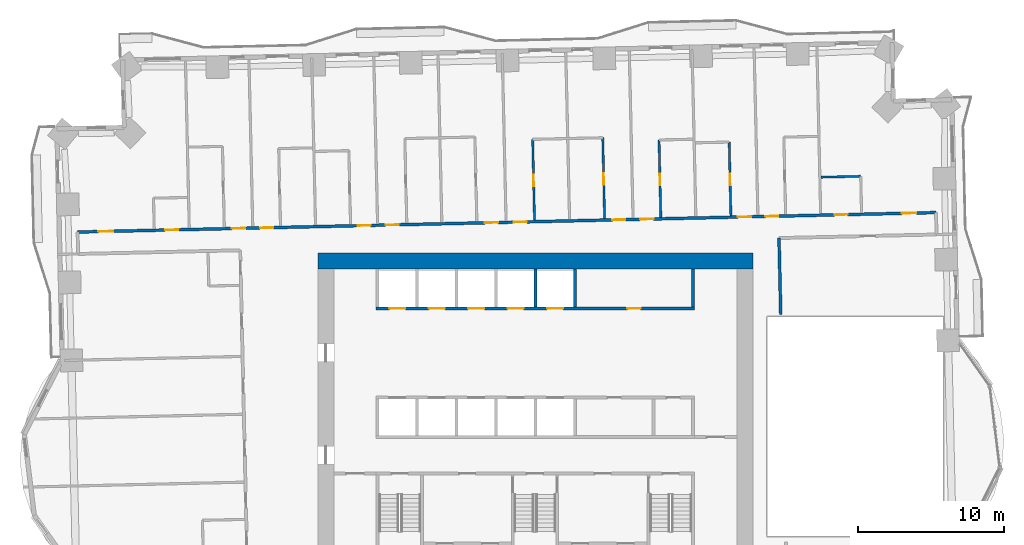
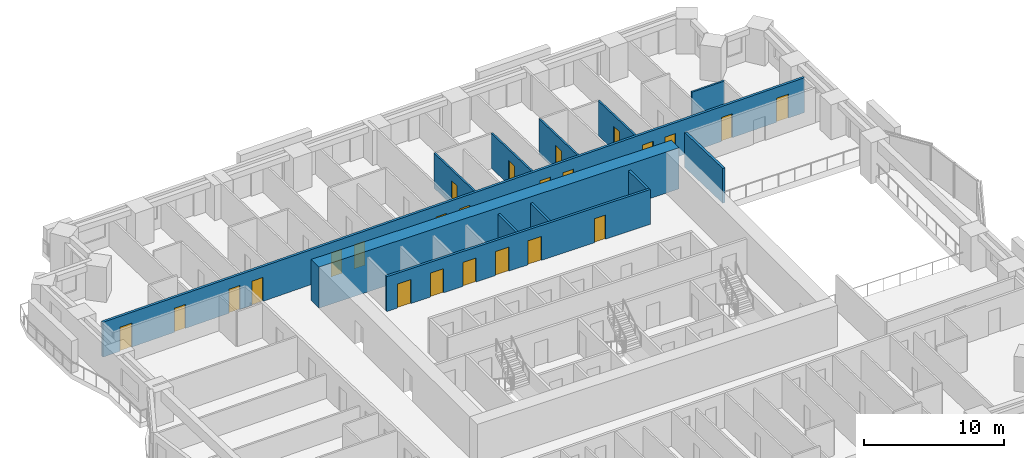
# One storey, part 10 of 16: 24 doors, 12 walls, 24 openings.
"""IFC4 building model written with IfcOpenShell, lengths in metres."""

import ifcopenshell
import ifcopenshell.guid

model = None  # the IFC model being written
_history = None  # IfcOwnerHistory: only IFC2X3 demands one
_inside = {}  # id of a spatial element -> (the spatial element, [elements in it])
_under = {}  # id of a project, library or spatial element -> (it, [spatial elements below it])
_declared = {}  # id of a project -> (the project, [libraries it declares])
_typed = {}  # id of a type object -> (the type object, [elements of that type])
_made_of = {}  # id of a material, layer set ... -> (it, [elements and type objects made of it])


def new_model(schema):
    """Start an empty IFC model of exactly this schema.

    Asked for "IFC4X3", IfcOpenShell would pick the latest addendum, in which some entities
    have other attributes; the version numbers below select the first issue.
    IFC2X3 requires an IfcOwnerHistory on every rooted entity: one is made here for all.
    """
    global model, _history
    if schema == "IFC4X3":
        model = ifcopenshell.file(schema_version=(4, 3, 0, 0))
    else:
        model = ifcopenshell.file(schema=schema)
    _inside.clear()
    _under.clear()
    _declared.clear()
    _typed.clear()
    _made_of.clear()
    _history = None
    if model.schema == "IFC2X3":
        org = make("IfcOrganization", Name="unknown")
        user = make(
            "IfcPersonAndOrganization",
            ThePerson=make("IfcPerson", FamilyName="unknown"),
            TheOrganization=org,
        )
        app = make(
            "IfcApplication",
            ApplicationDeveloper=org,
            Version="unknown",
            ApplicationFullName="unknown",
            ApplicationIdentifier="unknown",
        )
        _history = make(
            "IfcOwnerHistory",
            OwningUser=user,
            OwningApplication=app,
            ChangeAction="ADDED",
            CreationDate=0,
        )
    return model


def make(cls, **values):
    """One entity of the class cls with the attributes given. An attribute that is None is left unset."""
    return model.create_entity(
        cls, **{name: value for name, value in values.items() if value is not None}
    )


def rooted(cls, **values):
    """An entity with a GlobalId (a new one), such as an element, a storey or a relation."""
    return make(cls, GlobalId=ifcopenshell.guid.new(), OwnerHistory=_history, **values)


def si_unit(unit_type, name, prefix=None):
    """IfcSIUnit, for example si_unit("LENGTHUNIT", "METRE", prefix="MILLI")."""
    return make("IfcSIUnit", UnitType=unit_type, Prefix=prefix, Name=name)


def assignment(units):
    """IfcUnitAssignment: the units of a project."""
    return None if units is None else make("IfcUnitAssignment", Units=units)


def point(xyz):
    """IfcCartesianPoint."""
    return None if xyz is None else make("IfcCartesianPoint", Coordinates=xyz)


def direction(xyz):
    """IfcDirection."""
    return None if xyz is None else make("IfcDirection", DirectionRatios=xyz)


def frame(location, z_axis=None, x_axis=None):
    """IfcAxis2Placement3D, a coordinate frame: its origin and axes. An axis left out is left unset."""
    return make(
        "IfcAxis2Placement3D",
        Location=point(location),
        Axis=direction(z_axis),
        RefDirection=direction(x_axis),
    )


def frame_2d(location, x_axis=None):
    """IfcAxis2Placement2D, a coordinate frame in the plane: its origin and x axis."""
    return make(
        "IfcAxis2Placement2D", Location=point(location), RefDirection=direction(x_axis)
    )


def origin():
    """The frame at (0, 0, 0) with its axes left unset."""
    return frame((0.0, 0.0, 0.0))


def place(relative_to, where):
    """IfcLocalPlacement: puts the frame where relative to a parent placement (None: the world)."""
    return make(
        "IfcLocalPlacement", PlacementRelTo=relative_to, RelativePlacement=where
    )


def context(
    kind, dimensions, precision=None, world=None, true_north=None, identifier=None
):
    """IfcGeometricRepresentationContext, for example the 3D "Model" context."""
    return make(
        "IfcGeometricRepresentationContext",
        ContextIdentifier=identifier,
        ContextType=kind,
        CoordinateSpaceDimension=dimensions,
        Precision=precision,
        WorldCoordinateSystem=world,
        TrueNorth=true_north,
    )


def subcontext(parent, identifier, kind, view, scale=None):
    """IfcGeometricRepresentationSubContext, for example "Body" below "Model"."""
    return make(
        "IfcGeometricRepresentationSubContext",
        ContextIdentifier=identifier,
        ContextType=kind,
        ParentContext=parent,
        TargetScale=scale,
        TargetView=view,
    )


def project(units=None, contexts=None):
    """IfcProject with its units and contexts."""
    return rooted(
        "IfcProject",
        Name="project",
        RepresentationContexts=contexts,
        UnitsInContext=assignment(units),
    )


def spatial(cls, under=None, at=None, **own):
    """A site, building, storey or space (cls), placed at a placement, below another one or the project."""
    s = rooted(cls, ObjectPlacement=at, **own)
    if under is not None:
        _under.setdefault(under.id(), (under, []))[1].append(s)
    return s


def profile(cls, at=None, kind="AREA", **sizes):
    """A parametric profile (cls). Its sizes go by their IFC names, for example OverallWidth=200.0."""
    return make(cls, ProfileType=kind, Position=at, **sizes)


def rectangle(**sizes):
    """IfcRectangleProfileDef."""
    return profile("IfcRectangleProfileDef", **sizes)


def extrude(swept, where, along, depth):
    """IfcExtrudedAreaSolid: the profile swept, set in the frame where, extruded along a direction by depth."""
    return make(
        "IfcExtrudedAreaSolid",
        SweptArea=swept,
        Position=where,
        ExtrudedDirection=direction(along),
        Depth=depth,
    )


def shape(context_of_items, identifier, shape_type, items):
    """IfcShapeRepresentation: the items that make up one representation, for example the "Body"."""
    return make(
        "IfcShapeRepresentation",
        ContextOfItems=context_of_items,
        RepresentationIdentifier=identifier,
        RepresentationType=shape_type,
        Items=items,
    )


def material(Name=None, Category=None):
    """IfcMaterial."""
    return make("IfcMaterial", Name=Name, Category=Category)


def layer(
    of_material, thickness, ventilated=None, Name=None, Category=None, Priority=None
):
    """IfcMaterialLayer: one layer of a wall or slab, of a material (None: an air gap)."""
    return make(
        "IfcMaterialLayer",
        Material=of_material,
        LayerThickness=thickness,
        IsVentilated=ventilated,
        Name=Name,
        Category=Category,
        Priority=Priority,
    )


def layer_set(layers, Name=None):
    """IfcMaterialLayerSet."""
    return make("IfcMaterialLayerSet", MaterialLayers=layers, LayerSetName=Name)


def made_of(thing, what):
    """Note that an element or type object is made of a material, layer set ...; save() writes the relation."""
    if what is not None:
        _made_of.setdefault(what.id(), (what, []))[1].append(thing)
    return thing


def type_object(cls, material=None, **own):
    """A type object (cls), such as IfcWallType, which elements share."""
    return made_of(rooted(cls, **own), material)


def element(
    cls,
    number,
    at=None,
    inside=None,
    cuts=None,
    type_object=None,
    material=None,
    context=None,
    identifier="Body",
    shape_type=None,
    held_by="IfcProductDefinitionShape",
    body=None,
    shapes=None,
    **own,
):
    """One element of the class cls, such as IfcWall. Its Tag is "e" and its number.

    at: its placement. inside: the storey or other place that contains it. cuts: it is an
    opening in that element (IfcRelVoidsElement). A single representation is given by context,
    identifier, shape_type and body (its items); several are given by shapes. held_by: the class
    of the entity that holds the representations. save() writes the other relations.
    """
    e = rooted(cls, Tag="e%d" % number, ObjectPlacement=at, **own)
    if body is not None:
        shapes = [shape(context, identifier, shape_type, body)]
    if shapes is not None:
        e.Representation = make(held_by, Representations=shapes)
    if inside is not None:
        _inside.setdefault(inside.id(), (inside, []))[1].append(e)
    if cuts is not None:
        rooted(
            "IfcRelVoidsElement", RelatingBuildingElement=cuts, RelatedOpeningElement=e
        )
    if type_object is not None:
        _typed.setdefault(type_object.id(), (type_object, []))[1].append(e)
    return made_of(e, material)


def fill(opening, filler):
    """IfcRelFillsElement: the door or window that sits in an opening."""
    return rooted(
        "IfcRelFillsElement",
        RelatingOpeningElement=opening,
        RelatedBuildingElement=filler,
    )


def aggregate(whole, parts):
    """IfcRelAggregates: a whole, such as a stair, and the parts it consists of."""
    return rooted("IfcRelAggregates", RelatingObject=whole, RelatedObjects=parts)


def save(model, path):
    """Write the relations noted so far, then the file.

    IfcRelAggregates (storeys below a building ...), IfcRelContainedInSpatialStructure (elements
    in a storey), IfcRelDefinesByType, IfcRelAssociatesMaterial and IfcRelDeclares: one each for
    every whole, place, type object, material and project.
    """
    for whole, parts in _under.values():
        aggregate(whole, parts)
    for where, things in _inside.values():
        rooted(
            "IfcRelContainedInSpatialStructure",
            RelatedElements=things,
            RelatingStructure=where,
        )
    for kind, things in _typed.values():
        rooted("IfcRelDefinesByType", RelatedObjects=things, RelatingType=kind)
    for what, things in _made_of.values():
        rooted("IfcRelAssociatesMaterial", RelatedObjects=things, RelatingMaterial=what)
    for by, libraries in _declared.values():
        rooted("IfcRelDeclares", RelatingContext=by, RelatedDefinitions=libraries)
    model.write(path)


model = new_model("IFC4")

# Units and contexts
model_context = context("Model", 3, precision=1e-05, world=origin(), true_north=direction((0.0, 1.0)))
body_context = subcontext(model_context, "Body", "Model", "MODEL_VIEW")
ifc_project = project(units=[si_unit("LENGTHUNIT", "METRE"), si_unit("AREAUNIT", "SQUARE_METRE"), si_unit("VOLUMEUNIT", "CUBIC_METRE"), si_unit("PLANEANGLEUNIT", "RADIAN"), si_unit("MASSUNIT", "GRAM", prefix="KILO")], contexts=[model_context])

# Site, building, storey
site_placement = place(None, origin())
site = spatial("IfcSite", under=ifc_project, at=site_placement, CompositionType="ELEMENT")
building_placement = place(site_placement, origin())
building = spatial("IfcBuilding", under=site, at=building_placement, Name="Mangrove Gate Tower", CompositionType="ELEMENT")
storey_placement = place(building_placement, frame((0.0, 0.0, 34.10009765625)))
storey = spatial("IfcBuildingStorey", under=building, at=storey_placement, Name="L07", CompositionType="ELEMENT", Elevation=34.10009765625)

# Wall
ifc_material_1 = material(Name="Concrete C32/40", Category="concrete")
ifc_layer_1 = layer(ifc_material_1, 0.199951171875)
ifc_layer_set_1 = layer_set([ifc_layer_1], Name="Core room wall 200 C32/40")
wall_type_1 = type_object("IfcWallType", Name="Core room wall 200 C32/40", PredefinedType="STANDARD", material=ifc_layer_set_1)
wall_1_placement = place(storey_placement, frame((10.800048828125, 8.199951171875, 0.0), z_axis=(0.0, 0.0, 1.0), x_axis=(0.0, 1.0, 0.0)))
element("IfcWall", 1, at=wall_1_placement, inside=storey, type_object=wall_type_1, Name="WALL-L07-CORE-33", PredefinedType="STANDARD", context=body_context, shape_type="SweptSolid", body=[
    extrude(rectangle(XDim=2.60009765625, YDim=0.199951171875, at=frame_2d((1.300048828125, 0.0))), origin(), (0.0, 0.0, 1.0), 3.0498046875),
])

# Wall, openings, doors
ifc_material_2 = material(Name="Concrete C70/85", Category="concrete")
ifc_layer_2 = layer(ifc_material_2, 0.199951171875)
ifc_layer_set_2 = layer_set([ifc_layer_2], Name="Core shaft wall 200 C70/85")
wall_type_2 = type_object("IfcWallType", Name="Core shaft wall 200 C70/85", PredefinedType="SHEAR", material=ifc_layer_set_2)
wall_2_placement = place(storey_placement, frame((-10.89990234375, 8.10009765625, 0.0), z_axis=(0.0, 0.0, 1.0), x_axis=(1.0, 0.0, 0.0)))
wall_2 = element("IfcWall", 2, at=wall_2_placement, inside=storey, type_object=wall_type_2, Name="WALL-L07-CORE-8", PredefinedType="SHEAR", context=body_context, shape_type="SweptSolid", body=[
    extrude(rectangle(XDim=21.7998046875, YDim=0.199951171875, at=frame_2d((10.89990234375, 0.0))), origin(), (0.0, 0.0, 1.0), 3.0498046875),
])
opening_1_placement = place(wall_2_placement, frame((0.89990234375, 0.0, 0.0)))
opening_1 = element("IfcOpeningElement", 3, at=opening_1_placement, cuts=wall_2, Name="Opening LD", PredefinedType="OPENING", context=body_context, shape_type="SweptSolid", body=[
    extrude(rectangle(XDim=1.10009765625, YDim=2.10009765625, at=frame_2d((0.550048828125, 1.050048828125))), frame((0.0, 0.10986328125, 0.0), z_axis=(0.0, -1.0, 0.0), x_axis=(1.0, 0.0, 0.0)), (0.0, 0.0, 1.0), 0.219970703125),
])
opening_2_placement = place(wall_2_placement, frame((3.60009765625, 0.0, 0.0)))
opening_2 = element("IfcOpeningElement", 4, at=opening_2_placement, cuts=wall_2, Name="Opening LD", PredefinedType="OPENING", context=body_context, shape_type="SweptSolid", body=[
    extrude(rectangle(XDim=1.10009765625, YDim=2.10009765625, at=frame_2d((0.550048828125, 1.050048828125))), frame((0.0, 0.10986328125, 0.0), z_axis=(0.0, -1.0, 0.0), x_axis=(1.0, 0.0, 0.0)), (0.0, 0.0, 1.0), 0.219970703125),
])
opening_3_placement = place(wall_2_placement, frame((6.300048828125, 0.0, 0.0)))
opening_3 = element("IfcOpeningElement", 5, at=opening_3_placement, cuts=wall_2, Name="Opening LD", PredefinedType="OPENING", context=body_context, shape_type="SweptSolid", body=[
    extrude(rectangle(XDim=1.10009765625, YDim=2.10009765625, at=frame_2d((0.550048828125, 1.050048828125))), frame((0.0, 0.10986328125, 0.0), z_axis=(0.0, -1.0, 0.0), x_axis=(1.0, 0.0, 0.0)), (0.0, 0.0, 1.0), 0.219970703125),
])
opening_4_placement = place(wall_2_placement, frame((9.0, 0.0, 0.0)))
opening_4 = element("IfcOpeningElement", 6, at=opening_4_placement, cuts=wall_2, Name="Opening LD", PredefinedType="OPENING", context=body_context, shape_type="SweptSolid", body=[
    extrude(rectangle(XDim=1.10009765625, YDim=2.10009765625, at=frame_2d((0.550048828125, 1.050048828125))), frame((0.0, 0.10986328125, 0.0), z_axis=(0.0, -1.0, 0.0), x_axis=(1.0, 0.0, 0.0)), (0.0, 0.0, 1.0), 0.219970703125),
])
opening_5_placement = place(wall_2_placement, frame((11.699951171875, 0.0, 0.0)))
opening_5 = element("IfcOpeningElement", 7, at=opening_5_placement, cuts=wall_2, Name="Opening LD", PredefinedType="OPENING", context=body_context, shape_type="SweptSolid", body=[
    extrude(rectangle(XDim=1.10009765625, YDim=2.10009765625, at=frame_2d((0.550048828125, 1.050048828125))), frame((0.0, 0.10986328125, 0.0), z_axis=(0.0, -1.0, 0.0), x_axis=(1.0, 0.0, 0.0)), (0.0, 0.0, 1.0), 0.219970703125),
])
opening_6_placement = place(wall_2_placement, frame((17.199951171875, 0.0, 0.0)))
opening_6 = element("IfcOpeningElement", 8, at=opening_6_placement, cuts=wall_2, Name="Opening KD", PredefinedType="OPENING", context=body_context, shape_type="SweptSolid", body=[
    extrude(rectangle(XDim=0.89990234375, YDim=2.10009765625, at=frame_2d((0.449951171875, 1.050048828125))), frame((0.0, 0.10986328125, 0.0), z_axis=(0.0, -1.0, 0.0), x_axis=(1.0, 0.0, 0.0)), (0.0, 0.0, 1.0), 0.219970703125),
])
ifc_material_3 = material(Name="Fire-rated steel door set", Category="steel")
door_type_1 = type_object("IfcDoorType", Name="Core room door FD30S 900x2100", OperationType="SINGLE_SWING_RIGHT", PredefinedType="DOOR", material=ifc_material_3)
door_1_placement = place(opening_6_placement, origin())
door_1 = element("IfcDoor", 9, at=door_1_placement, inside=storey, type_object=door_type_1, Name="Core room door Refuse store", OperationType="SINGLE_SWING_RIGHT", OverallHeight=2.10009765625, OverallWidth=0.89990234375, PredefinedType="DOOR", context=body_context, shape_type="SweptSolid", body=[
    extrude(rectangle(XDim=0.89990234375, YDim=2.10009765625, at=frame_2d((0.449951171875, 1.050048828125))), frame((0.0, 0.02490234375, 0.0), z_axis=(0.0, -1.0, 0.0), x_axis=(1.0, 0.0, 0.0)), (0.0, 0.0, 1.0), 0.050048828125),
])
fill(opening_6, door_1)
ifc_material_4 = material(Name="Stainless steel 316", Category="steel")
door_type_2 = type_object("IfcDoorType", Name="Lift landing door 1100x2100", OperationType="SLIDING_TO_LEFT", PredefinedType="DOOR", material=ifc_material_4)
door_2_placement = place(opening_1_placement, origin())
door_2 = element("IfcDoor", 10, at=door_2_placement, inside=storey, type_object=door_type_2, Name="Landing door LD P06", OperationType="SLIDING_TO_LEFT", OverallHeight=2.10009765625, OverallWidth=1.10009765625, PredefinedType="DOOR", context=body_context, shape_type="SweptSolid", body=[
    extrude(rectangle(XDim=1.10009765625, YDim=2.10009765625, at=frame_2d((0.550048828125, 1.050048828125))), frame((0.0, 0.02490234375, 0.0), z_axis=(0.0, -1.0, 0.0), x_axis=(1.0, 0.0, 0.0)), (0.0, 0.0, 1.0), 0.050048828125),
])
fill(opening_1, door_2)
door_3_placement = place(opening_2_placement, origin())
door_3 = element("IfcDoor", 11, at=door_3_placement, inside=storey, type_object=door_type_2, Name="Landing door LD P07", OperationType="SLIDING_TO_LEFT", OverallHeight=2.10009765625, OverallWidth=1.10009765625, PredefinedType="DOOR", context=body_context, shape_type="SweptSolid", body=[
    extrude(rectangle(XDim=1.10009765625, YDim=2.10009765625, at=frame_2d((0.550048828125, 1.050048828125))), frame((0.0, 0.02490234375, 0.0), z_axis=(0.0, -1.0, 0.0), x_axis=(1.0, 0.0, 0.0)), (0.0, 0.0, 1.0), 0.050048828125),
])
fill(opening_2, door_3)
door_4_placement = place(opening_3_placement, origin())
door_4 = element("IfcDoor", 12, at=door_4_placement, inside=storey, type_object=door_type_2, Name="Landing door LD P08", OperationType="SLIDING_TO_LEFT", OverallHeight=2.10009765625, OverallWidth=1.10009765625, PredefinedType="DOOR", context=body_context, shape_type="SweptSolid", body=[
    extrude(rectangle(XDim=1.10009765625, YDim=2.10009765625, at=frame_2d((0.550048828125, 1.050048828125))), frame((0.0, 0.02490234375, 0.0), z_axis=(0.0, -1.0, 0.0), x_axis=(1.0, 0.0, 0.0)), (0.0, 0.0, 1.0), 0.050048828125),
])
fill(opening_3, door_4)
door_5_placement = place(opening_4_placement, origin())
door_5 = element("IfcDoor", 13, at=door_5_placement, inside=storey, type_object=door_type_2, Name="Landing door LD P09", OperationType="SLIDING_TO_LEFT", OverallHeight=2.10009765625, OverallWidth=1.10009765625, PredefinedType="DOOR", context=body_context, shape_type="SweptSolid", body=[
    extrude(rectangle(XDim=1.10009765625, YDim=2.10009765625, at=frame_2d((0.550048828125, 1.050048828125))), frame((0.0, 0.02490234375, 0.0), z_axis=(0.0, -1.0, 0.0), x_axis=(1.0, 0.0, 0.0)), (0.0, 0.0, 1.0), 0.050048828125),
])
fill(opening_4, door_5)
door_6_placement = place(opening_5_placement, origin())
door_6 = element("IfcDoor", 14, at=door_6_placement, inside=storey, type_object=door_type_2, Name="Landing door LD P10", OperationType="SLIDING_TO_LEFT", OverallHeight=2.10009765625, OverallWidth=1.10009765625, PredefinedType="DOOR", context=body_context, shape_type="SweptSolid", body=[
    extrude(rectangle(XDim=1.10009765625, YDim=2.10009765625, at=frame_2d((0.550048828125, 1.050048828125))), frame((0.0, 0.02490234375, 0.0), z_axis=(0.0, -1.0, 0.0), x_axis=(1.0, 0.0, 0.0)), (0.0, 0.0, 1.0), 0.050048828125),
])
fill(opening_5, door_6)

# Walls
for number, where, z_axis, x_axis, name in (
    (15, (0.0, 8.199951171875, 0.0), (0.0, 0.0, 1.0), (0.0, 1.0, 0.0), "WALL-L07-CORE-31"),
    (16, (2.699951171875, 8.199951171875, 0.0), (0.0, 0.0, 1.0), (0.0, 1.0, 0.0), "WALL-L07-CORE-32"),
):
    element("IfcWall", number, at=place(storey_placement, frame(where, z_axis=z_axis, x_axis=x_axis)), inside=storey, type_object=wall_type_2, Name=name, PredefinedType="SHEAR", context=body_context, shape_type="SweptSolid", body=[
        extrude(rectangle(XDim=2.60009765625, YDim=0.199951171875, at=frame_2d((1.300048828125, 0.0))), origin(), (0.0, 0.0, 1.0), 3.0498046875),
    ])
ifc_material_5 = material(Name="Concrete C70/85", Category="concrete")
ifc_layer_3 = layer(ifc_material_5, 1.10009765625)
ifc_layer_set_3 = layer_set([ifc_layer_3], Name="Core wall 1100 C70/85")
wall_type_3 = type_object("IfcWallType", Name="Core wall 1100 C70/85", PredefinedType="SHEAR", material=ifc_layer_set_3)
wall_3_placement = place(storey_placement, frame((-14.89990234375, 11.35009765625, 0.0), z_axis=(0.0, 0.0, 1.0), x_axis=(1.0, 0.0, 0.0)))
element("IfcWall", 17, at=wall_3_placement, inside=storey, type_object=wall_type_3, Name="WALL-L07-CORE-2", PredefinedType="SHEAR", context=body_context, shape_type="SweptSolid", body=[
    extrude(rectangle(XDim=29.7998046875, YDim=1.10009765625, at=frame_2d((14.89990234375, 0.0))), origin(), (0.0, 0.0, 1.0), 3.599853515625),
])
ifc_material_6 = material(Name="Gypsum board on steel stud, EI 60", Category="steel")
ifc_layer_4 = layer(ifc_material_6, 0.199951171875)
ifc_layer_set_4 = layer_set([ifc_layer_4], Name="Corridor wall EI 60")
wall_type_4 = type_object("IfcWallType", Name="Corridor wall EI 60", PredefinedType="PARTITIONING", material=ifc_layer_set_4)
wall_4_placement = place(storey_placement, frame((16.802978515625, 7.675048828125, 0.0), z_axis=(0.0, 0.0, 1.0), x_axis=(-0.022667483124, 0.999743059595, 0.0)))
element("IfcWall", 18, at=wall_4_placement, inside=storey, type_object=wall_type_4, Name="WALL-L07-047", PredefinedType="PARTITIONING", context=body_context, shape_type="SweptSolid", body=[
    extrude(rectangle(XDim=5.245361328125, YDim=0.199951171875, at=frame_2d((2.62255859375, 0.0))), origin(), (0.0, 0.0, 1.0), 3.0498046875),
])

# Wall, openings, doors
wall_5_placement = place(storey_placement, frame((-31.346923828125, 13.3291015625, 0.0), z_axis=(0.0, 0.0, 1.0), x_axis=(0.999742613079, 0.022687168058, 0.0)))
wall_5 = element("IfcWall", 19, at=wall_5_placement, inside=storey, type_object=wall_type_4, Name="WALL-L07-056", PredefinedType="PARTITIONING", context=body_context, shape_type="SweptSolid", body=[
    extrude(rectangle(XDim=58.799072265625, YDim=0.199951171875, at=frame_2d((29.3994140625, 0.0))), origin(), (0.0, 0.0, 1.0), 3.0498046875),
])
opening_7_placement = place(wall_5_placement, frame((56.449951171875, 0.0, 0.0)))
opening_7 = element("IfcOpeningElement", 20, at=opening_7_placement, cuts=wall_5, Name="Opening AD", PredefinedType="OPENING", context=body_context, shape_type="SweptSolid", body=[
    extrude(rectangle(XDim=1.0, YDim=2.10009765625, at=frame_2d((0.5, 1.050048828125))), frame((0.0, 0.10986328125, 0.0), z_axis=(0.0, -1.0, 0.0), x_axis=(1.0, 0.0, 0.0)), (0.0, 0.0, 1.0), 0.219970703125),
])
opening_8_placement = place(wall_5_placement, frame((51.85009765625, 0.0, 0.0)))
opening_8 = element("IfcOpeningElement", 21, at=opening_8_placement, cuts=wall_5, Name="Opening SD", PredefinedType="OPENING", context=body_context, shape_type="SweptSolid", body=[
    extrude(rectangle(XDim=0.89990234375, YDim=2.10009765625, at=frame_2d((0.449951171875, 1.050048828125))), frame((0.0, 0.10986328125, 0.0), z_axis=(0.0, -1.0, 0.0), x_axis=(1.0, 0.0, 0.0)), (0.0, 0.0, 1.0), 0.219970703125),
])
opening_9_placement = place(wall_5_placement, frame((47.10009765625, 0.0, 0.0)))
opening_9 = element("IfcOpeningElement", 22, at=opening_9_placement, cuts=wall_5, Name="Opening BD", PredefinedType="OPENING", context=body_context, shape_type="SweptSolid", body=[
    extrude(rectangle(XDim=0.89990234375, YDim=2.10009765625, at=frame_2d((0.449951171875, 1.050048828125))), frame((0.0, 0.10986328125, 0.0), z_axis=(0.0, -1.0, 0.0), x_axis=(1.0, 0.0, 0.0)), (0.0, 0.0, 1.0), 0.219970703125),
])
opening_10_placement = place(wall_5_placement, frame((45.22509765625, 0.0, 0.0)))
opening_10 = element("IfcOpeningElement", 23, at=opening_10_placement, cuts=wall_5, Name="Opening BD", PredefinedType="OPENING", context=body_context, shape_type="SweptSolid", body=[
    extrude(rectangle(XDim=0.89990234375, YDim=2.10009765625, at=frame_2d((0.449951171875, 1.050048828125))), frame((0.0, 0.10986328125, 0.0), z_axis=(0.0, -1.0, 0.0), x_axis=(1.0, 0.0, 0.0)), (0.0, 0.0, 1.0), 0.219970703125),
])
opening_11_placement = place(wall_5_placement, frame((38.550048828125, 0.0, 0.0)))
opening_11 = element("IfcOpeningElement", 24, at=opening_11_placement, cuts=wall_5, Name="Opening BD", PredefinedType="OPENING", context=body_context, shape_type="SweptSolid", body=[
    extrude(rectangle(XDim=0.89990234375, YDim=2.10009765625, at=frame_2d((0.449951171875, 1.050048828125))), frame((0.0, 0.10986328125, 0.0), z_axis=(0.0, -1.0, 0.0), x_axis=(1.0, 0.0, 0.0)), (0.0, 0.0, 1.0), 0.219970703125),
])
opening_12_placement = place(wall_5_placement, frame((36.625, 0.0, 0.0)))
opening_12 = element("IfcOpeningElement", 25, at=opening_12_placement, cuts=wall_5, Name="Opening BD", PredefinedType="OPENING", context=body_context, shape_type="SweptSolid", body=[
    extrude(rectangle(XDim=0.89990234375, YDim=2.10009765625, at=frame_2d((0.449951171875, 1.050048828125))), frame((0.0, 0.10986328125, 0.0), z_axis=(0.0, -1.0, 0.0), x_axis=(1.0, 0.0, 0.0)), (0.0, 0.0, 1.0), 0.219970703125),
])
opening_13_placement = place(wall_5_placement, frame((29.875, 0.0, 0.0)))
opening_13 = element("IfcOpeningElement", 26, at=opening_13_placement, cuts=wall_5, Name="Opening BD", PredefinedType="OPENING", context=body_context, shape_type="SweptSolid", body=[
    extrude(rectangle(XDim=0.89990234375, YDim=2.10009765625, at=frame_2d((0.449951171875, 1.050048828125))), frame((0.0, 0.10986328125, 0.0), z_axis=(0.0, -1.0, 0.0), x_axis=(1.0, 0.0, 0.0)), (0.0, 0.0, 1.0), 0.219970703125),
])
opening_14_placement = place(wall_5_placement, frame((27.89990234375, 0.0, 0.0)))
opening_14 = element("IfcOpeningElement", 27, at=opening_14_placement, cuts=wall_5, Name="Opening BD", PredefinedType="OPENING", context=body_context, shape_type="SweptSolid", body=[
    extrude(rectangle(XDim=0.89990234375, YDim=2.10009765625, at=frame_2d((0.449951171875, 1.050048828125))), frame((0.0, 0.10986328125, 0.0), z_axis=(0.0, -1.0, 0.0), x_axis=(1.0, 0.0, 0.0)), (0.0, 0.0, 1.0), 0.219970703125),
])
opening_15_placement = place(wall_5_placement, frame((21.10009765625, 0.0, 0.0)))
opening_15 = element("IfcOpeningElement", 28, at=opening_15_placement, cuts=wall_5, Name="Opening BD", PredefinedType="OPENING", context=body_context, shape_type="SweptSolid", body=[
    extrude(rectangle(XDim=0.89990234375, YDim=2.10009765625, at=frame_2d((0.449951171875, 1.050048828125))), frame((0.0, 0.10986328125, 0.0), z_axis=(0.0, -1.0, 0.0), x_axis=(1.0, 0.0, 0.0)), (0.0, 0.0, 1.0), 0.219970703125),
])
opening_16_placement = place(wall_5_placement, frame((19.175048828125, 0.0, 0.0)))
opening_16 = element("IfcOpeningElement", 29, at=opening_16_placement, cuts=wall_5, Name="Opening BD", PredefinedType="OPENING", context=body_context, shape_type="SweptSolid", body=[
    extrude(rectangle(XDim=0.89990234375, YDim=2.10009765625, at=frame_2d((0.449951171875, 1.050048828125))), frame((0.0, 0.10986328125, 0.0), z_axis=(0.0, -1.0, 0.0), x_axis=(1.0, 0.0, 0.0)), (0.0, 0.0, 1.0), 0.219970703125),
])
opening_17_placement = place(wall_5_placement, frame((12.5, 0.0, 0.0)))
opening_17 = element("IfcOpeningElement", 30, at=opening_17_placement, cuts=wall_5, Name="Opening BD", PredefinedType="OPENING", context=body_context, shape_type="SweptSolid", body=[
    extrude(rectangle(XDim=0.89990234375, YDim=2.10009765625, at=frame_2d((0.449951171875, 1.050048828125))), frame((0.0, 0.10986328125, 0.0), z_axis=(0.0, -1.0, 0.0), x_axis=(1.0, 0.0, 0.0)), (0.0, 0.0, 1.0), 0.219970703125),
])
opening_18_placement = place(wall_5_placement, frame((10.574951171875, 0.0, 0.0)))
opening_18 = element("IfcOpeningElement", 31, at=opening_18_placement, cuts=wall_5, Name="Opening BD", PredefinedType="OPENING", context=body_context, shape_type="SweptSolid", body=[
    extrude(rectangle(XDim=0.89990234375, YDim=2.10009765625, at=frame_2d((0.449951171875, 1.050048828125))), frame((0.0, 0.10986328125, 0.0), z_axis=(0.0, -1.0, 0.0), x_axis=(1.0, 0.0, 0.0)), (0.0, 0.0, 1.0), 0.219970703125),
])
opening_19_placement = place(wall_5_placement, frame((1.425048828125, 0.0, 0.0)))
opening_19 = element("IfcOpeningElement", 32, at=opening_19_placement, cuts=wall_5, Name="Opening AD", PredefinedType="OPENING", context=body_context, shape_type="SweptSolid", body=[
    extrude(rectangle(XDim=1.0, YDim=2.10009765625, at=frame_2d((0.5, 1.050048828125))), frame((0.0, 0.10986328125, 0.0), z_axis=(0.0, -1.0, 0.0), x_axis=(1.0, 0.0, 0.0)), (0.0, 0.0, 1.0), 0.219970703125),
])
opening_20_placement = place(wall_5_placement, frame((6.0, 0.0, 0.0)))
opening_20 = element("IfcOpeningElement", 33, at=opening_20_placement, cuts=wall_5, Name="Opening SD", PredefinedType="OPENING", context=body_context, shape_type="SweptSolid", body=[
    extrude(rectangle(XDim=0.89990234375, YDim=2.10009765625, at=frame_2d((0.449951171875, 1.050048828125))), frame((0.0, 0.10986328125, 0.0), z_axis=(0.0, -1.0, 0.0), x_axis=(1.0, 0.0, 0.0)), (0.0, 0.0, 1.0), 0.219970703125),
])
ifc_material_7 = material(Name="Timber door leaf", Category="wood")
door_type_3 = type_object("IfcDoorType", Name="Amenity door 1000", OperationType="SINGLE_SWING_LEFT", PredefinedType="DOOR", material=ifc_material_7)
door_7_placement = place(opening_7_placement, origin())
door_7 = element("IfcDoor", 34, at=door_7_placement, inside=storey, type_object=door_type_3, Name="DOOR-L07-GAM-c3c", OperationType="SINGLE_SWING_LEFT", OverallHeight=2.10009765625, OverallWidth=1.0, PredefinedType="DOOR", context=body_context, shape_type="SweptSolid", body=[
    extrude(rectangle(XDim=1.0, YDim=2.10009765625, at=frame_2d((0.5, 1.050048828125))), frame((0.0, 0.02490234375, 0.0), z_axis=(0.0, -1.0, 0.0), x_axis=(1.0, 0.0, 0.0)), (0.0, 0.0, 1.0), 0.050048828125),
])
fill(opening_7, door_7)
door_8_placement = place(opening_19_placement, origin())
door_8 = element("IfcDoor", 35, at=door_8_placement, inside=storey, type_object=door_type_3, Name="DOOR-L07-GAM-c5a", OperationType="SINGLE_SWING_RIGHT", OverallHeight=2.10009765625, OverallWidth=1.0, PredefinedType="DOOR", context=body_context, shape_type="SweptSolid", body=[
    extrude(rectangle(XDim=1.0, YDim=2.10009765625, at=frame_2d((0.5, 1.050048828125))), frame((0.0, 0.02490234375, 0.0), z_axis=(0.0, -1.0, 0.0), x_axis=(1.0, 0.0, 0.0)), (0.0, 0.0, 1.0), 0.050048828125),
])
fill(opening_19, door_8)
ifc_material_8 = material(Name="Timber door leaf", Category="wood")
door_type_4 = type_object("IfcDoorType", Name="Bedroom door 900", OperationType="SINGLE_SWING_LEFT", PredefinedType="DOOR", material=ifc_material_8)
door_9_placement = place(opening_9_placement, origin())
door_9 = element("IfcDoor", 36, at=door_9_placement, inside=storey, type_object=door_type_4, Name="DOOR-L07-BED-c310", OperationType="SINGLE_SWING_RIGHT", OverallHeight=2.10009765625, OverallWidth=0.89990234375, PredefinedType="DOOR", context=body_context, shape_type="SweptSolid", body=[
    extrude(rectangle(XDim=0.89990234375, YDim=2.10009765625, at=frame_2d((0.449951171875, 1.050048828125))), frame((0.0, 0.02490234375, 0.0), z_axis=(0.0, -1.0, 0.0), x_axis=(1.0, 0.0, 0.0)), (0.0, 0.0, 1.0), 0.050048828125),
])
fill(opening_9, door_9)
door_10_placement = place(opening_10_placement, origin())
door_10 = element("IfcDoor", 37, at=door_10_placement, inside=storey, type_object=door_type_4, Name="DOOR-L07-BED-c311", OperationType="SINGLE_SWING_LEFT", OverallHeight=2.10009765625, OverallWidth=0.89990234375, PredefinedType="DOOR", context=body_context, shape_type="SweptSolid", body=[
    extrude(rectangle(XDim=0.89990234375, YDim=2.10009765625, at=frame_2d((0.449951171875, 1.050048828125))), frame((0.0, 0.02490234375, 0.0), z_axis=(0.0, -1.0, 0.0), x_axis=(1.0, 0.0, 0.0)), (0.0, 0.0, 1.0), 0.050048828125),
])
fill(opening_10, door_10)
door_11_placement = place(opening_11_placement, origin())
door_11 = element("IfcDoor", 38, at=door_11_placement, inside=storey, type_object=door_type_4, Name="DOOR-L07-BED-c312", OperationType="SINGLE_SWING_RIGHT", OverallHeight=2.10009765625, OverallWidth=0.89990234375, PredefinedType="DOOR", context=body_context, shape_type="SweptSolid", body=[
    extrude(rectangle(XDim=0.89990234375, YDim=2.10009765625, at=frame_2d((0.449951171875, 1.050048828125))), frame((0.0, 0.02490234375, 0.0), z_axis=(0.0, -1.0, 0.0), x_axis=(1.0, 0.0, 0.0)), (0.0, 0.0, 1.0), 0.050048828125),
])
fill(opening_11, door_11)
door_12_placement = place(opening_12_placement, origin())
door_12 = element("IfcDoor", 39, at=door_12_placement, inside=storey, type_object=door_type_4, Name="DOOR-L07-BED-c413", OperationType="SINGLE_SWING_LEFT", OverallHeight=2.10009765625, OverallWidth=0.89990234375, PredefinedType="DOOR", context=body_context, shape_type="SweptSolid", body=[
    extrude(rectangle(XDim=0.89990234375, YDim=2.10009765625, at=frame_2d((0.449951171875, 1.050048828125))), frame((0.0, 0.02490234375, 0.0), z_axis=(0.0, -1.0, 0.0), x_axis=(1.0, 0.0, 0.0)), (0.0, 0.0, 1.0), 0.050048828125),
])
fill(opening_12, door_12)
door_13_placement = place(opening_13_placement, origin())
door_13 = element("IfcDoor", 40, at=door_13_placement, inside=storey, type_object=door_type_4, Name="DOOR-L07-BED-c414", OperationType="SINGLE_SWING_RIGHT", OverallHeight=2.10009765625, OverallWidth=0.89990234375, PredefinedType="DOOR", context=body_context, shape_type="SweptSolid", body=[
    extrude(rectangle(XDim=0.89990234375, YDim=2.10009765625, at=frame_2d((0.449951171875, 1.050048828125))), frame((0.0, 0.02490234375, 0.0), z_axis=(0.0, -1.0, 0.0), x_axis=(1.0, 0.0, 0.0)), (0.0, 0.0, 1.0), 0.050048828125),
])
fill(opening_13, door_13)
door_14_placement = place(opening_14_placement, origin())
door_14 = element("IfcDoor", 41, at=door_14_placement, inside=storey, type_object=door_type_4, Name="DOOR-L07-BED-c415", OperationType="SINGLE_SWING_LEFT", OverallHeight=2.10009765625, OverallWidth=0.89990234375, PredefinedType="DOOR", context=body_context, shape_type="SweptSolid", body=[
    extrude(rectangle(XDim=0.89990234375, YDim=2.10009765625, at=frame_2d((0.449951171875, 1.050048828125))), frame((0.0, 0.02490234375, 0.0), z_axis=(0.0, -1.0, 0.0), x_axis=(1.0, 0.0, 0.0)), (0.0, 0.0, 1.0), 0.050048828125),
])
fill(opening_14, door_14)
door_15_placement = place(opening_15_placement, origin())
door_15 = element("IfcDoor", 42, at=door_15_placement, inside=storey, type_object=door_type_4, Name="DOOR-L07-BED-c416", OperationType="SINGLE_SWING_RIGHT", OverallHeight=2.10009765625, OverallWidth=0.89990234375, PredefinedType="DOOR", context=body_context, shape_type="SweptSolid", body=[
    extrude(rectangle(XDim=0.89990234375, YDim=2.10009765625, at=frame_2d((0.449951171875, 1.050048828125))), frame((0.0, 0.02490234375, 0.0), z_axis=(0.0, -1.0, 0.0), x_axis=(1.0, 0.0, 0.0)), (0.0, 0.0, 1.0), 0.050048828125),
])
fill(opening_15, door_15)
door_16_placement = place(opening_16_placement, origin())
door_16 = element("IfcDoor", 43, at=door_16_placement, inside=storey, type_object=door_type_4, Name="DOOR-L07-BED-c517", OperationType="SINGLE_SWING_LEFT", OverallHeight=2.10009765625, OverallWidth=0.89990234375, PredefinedType="DOOR", context=body_context, shape_type="SweptSolid", body=[
    extrude(rectangle(XDim=0.89990234375, YDim=2.10009765625, at=frame_2d((0.449951171875, 1.050048828125))), frame((0.0, 0.02490234375, 0.0), z_axis=(0.0, -1.0, 0.0), x_axis=(1.0, 0.0, 0.0)), (0.0, 0.0, 1.0), 0.050048828125),
])
fill(opening_16, door_16)
door_17_placement = place(opening_17_placement, origin())
door_17 = element("IfcDoor", 44, at=door_17_placement, inside=storey, type_object=door_type_4, Name="DOOR-L07-BED-c518", OperationType="SINGLE_SWING_RIGHT", OverallHeight=2.10009765625, OverallWidth=0.89990234375, PredefinedType="DOOR", context=body_context, shape_type="SweptSolid", body=[
    extrude(rectangle(XDim=0.89990234375, YDim=2.10009765625, at=frame_2d((0.449951171875, 1.050048828125))), frame((0.0, 0.02490234375, 0.0), z_axis=(0.0, -1.0, 0.0), x_axis=(1.0, 0.0, 0.0)), (0.0, 0.0, 1.0), 0.050048828125),
])
fill(opening_17, door_17)
door_18_placement = place(opening_18_placement, origin())
door_18 = element("IfcDoor", 45, at=door_18_placement, inside=storey, type_object=door_type_4, Name="DOOR-L07-BED-c519", OperationType="SINGLE_SWING_LEFT", OverallHeight=2.10009765625, OverallWidth=0.89990234375, PredefinedType="DOOR", context=body_context, shape_type="SweptSolid", body=[
    extrude(rectangle(XDim=0.89990234375, YDim=2.10009765625, at=frame_2d((0.449951171875, 1.050048828125))), frame((0.0, 0.02490234375, 0.0), z_axis=(0.0, -1.0, 0.0), x_axis=(1.0, 0.0, 0.0)), (0.0, 0.0, 1.0), 0.050048828125),
])
fill(opening_18, door_18)
ifc_material_9 = material(Name="Timber door leaf", Category="wood")
door_type_5 = type_object("IfcDoorType", Name="Service room door 900", OperationType="SINGLE_SWING_LEFT", PredefinedType="DOOR", material=ifc_material_9)
door_19_placement = place(opening_8_placement, origin())
door_19 = element("IfcDoor", 46, at=door_19_placement, inside=storey, type_object=door_type_5, Name="DOOR-L07-LDY-c3a", OperationType="SINGLE_SWING_RIGHT", OverallHeight=2.10009765625, OverallWidth=0.89990234375, PredefinedType="DOOR", context=body_context, shape_type="SweptSolid", body=[
    extrude(rectangle(XDim=0.89990234375, YDim=2.10009765625, at=frame_2d((0.449951171875, 1.050048828125))), frame((0.0, 0.02490234375, 0.0), z_axis=(0.0, -1.0, 0.0), x_axis=(1.0, 0.0, 0.0)), (0.0, 0.0, 1.0), 0.050048828125),
])
fill(opening_8, door_19)
door_20_placement = place(opening_20_placement, origin())
door_20 = element("IfcDoor", 47, at=door_20_placement, inside=storey, type_object=door_type_5, Name="DOOR-L07-LIN-c5a", OperationType="SINGLE_SWING_LEFT", OverallHeight=2.10009765625, OverallWidth=0.89990234375, PredefinedType="DOOR", context=body_context, shape_type="SweptSolid", body=[
    extrude(rectangle(XDim=0.89990234375, YDim=2.10009765625, at=frame_2d((0.449951171875, 1.050048828125))), frame((0.0, 0.02490234375, 0.0), z_axis=(0.0, -1.0, 0.0), x_axis=(1.0, 0.0, 0.0)), (0.0, 0.0, 1.0), 0.050048828125),
])
fill(opening_20, door_20)

# Wall, opening, door
ifc_material_10 = material(Name="Gypsum board on steel stud, EI 60", Category="steel")
ifc_layer_5 = layer(ifc_material_10, 0.14990234375)
ifc_layer_set_5 = layer_set([ifc_layer_5], Name="Party wall 150 EI 60")
wall_type_5 = type_object("IfcWallType", Name="Party wall 150 EI 60", PredefinedType="PARTITIONING", material=ifc_layer_set_5)
wall_6_placement = place(storey_placement, frame((-0.05810546875, 14.138916015625, 0.0), z_axis=(0.0, 0.0, 1.0), x_axis=(-0.02273742063, 0.999741471433, 0.0)))
wall_6 = element("IfcWall", 48, at=wall_6_placement, inside=storey, type_object=wall_type_5, Name="WALL-L07-069", PredefinedType="PARTITIONING", context=body_context, shape_type="SweptSolid", body=[
    extrude(rectangle(XDim=5.54052734375, YDim=0.14990234375, at=frame_2d((2.770263671875, 0.0))), origin(), (0.0, 0.0, 1.0), 3.0498046875),
])
opening_21_placement = place(wall_6_placement, frame((2.320068359375, 0.0, 0.0)))
opening_21 = element("IfcOpeningElement", 49, at=opening_21_placement, cuts=wall_6, Name="Opening ED", PredefinedType="OPENING", context=body_context, shape_type="SweptSolid", body=[
    extrude(rectangle(XDim=0.800048828125, YDim=2.10009765625, at=frame_2d((0.39990234375, 1.050048828125))), frame((0.0, 0.0849609375, 0.0), z_axis=(0.0, -1.0, 0.0), x_axis=(1.0, 0.0, 0.0)), (0.0, 0.0, 1.0), 0.169921875),
])
ifc_material_11 = material(Name="Timber door leaf", Category="wood")
door_type_6 = type_object("IfcDoorType", Name="En-suite door 800", OperationType="SINGLE_SWING_LEFT", PredefinedType="DOOR", material=ifc_material_11)
door_21_placement = place(opening_21_placement, origin())
door_21 = element("IfcDoor", 50, at=door_21_placement, inside=storey, type_object=door_type_6, Name="DOOR-L07-ENS-c414", OperationType="SINGLE_SWING_RIGHT", OverallHeight=2.10009765625, OverallWidth=0.800048828125, PredefinedType="DOOR", context=body_context, shape_type="SweptSolid", body=[
    extrude(rectangle(XDim=0.800048828125, YDim=2.10009765625, at=frame_2d((0.39990234375, 1.050048828125))), frame((0.0, 0.02490234375, 0.0), z_axis=(0.0, -1.0, 0.0), x_axis=(1.0, 0.0, 0.0)), (0.0, 0.0, 1.0), 0.050048828125),
])
fill(opening_21, door_21)

wall_7_placement = place(storey_placement, frame((4.740966796875, 14.248046875, 0.0), z_axis=(0.0, 0.0, 1.0), x_axis=(-0.02273742063, 0.999741471433, 0.0)))
wall_7 = element("IfcWall", 51, at=wall_7_placement, inside=storey, type_object=wall_type_5, Name="WALL-L07-071", PredefinedType="PARTITIONING", context=body_context, shape_type="SweptSolid", body=[
    extrude(rectangle(XDim=5.54052734375, YDim=0.14990234375, at=frame_2d((2.770263671875, 0.0))), origin(), (0.0, 0.0, 1.0), 3.0498046875),
])
opening_22_placement = place(wall_7_placement, frame((2.320068359375, 0.0, 0.0)))
opening_22 = element("IfcOpeningElement", 52, at=opening_22_placement, cuts=wall_7, Name="Opening ED", PredefinedType="OPENING", context=body_context, shape_type="SweptSolid", body=[
    extrude(rectangle(XDim=0.800048828125, YDim=2.10009765625, at=frame_2d((0.39990234375, 1.050048828125))), frame((0.0, 0.0849609375, 0.0), z_axis=(0.0, -1.0, 0.0), x_axis=(1.0, 0.0, 0.0)), (0.0, 0.0, 1.0), 0.169921875),
])
door_22_placement = place(opening_22_placement, origin())
door_22 = element("IfcDoor", 53, at=door_22_placement, inside=storey, type_object=door_type_6, Name="DOOR-L07-ENS-c413", OperationType="SINGLE_SWING_LEFT", OverallHeight=2.10009765625, OverallWidth=0.800048828125, PredefinedType="DOOR", context=body_context, shape_type="SweptSolid", body=[
    extrude(rectangle(XDim=0.800048828125, YDim=2.10009765625, at=frame_2d((0.39990234375, 1.050048828125))), frame((0.0, 0.02490234375, 0.0), z_axis=(0.0, -1.0, 0.0), x_axis=(1.0, 0.0, 0.0)), (0.0, 0.0, 1.0), 0.050048828125),
])
fill(opening_22, door_22)

wall_8_placement = place(storey_placement, frame((8.590087890625, 14.3349609375, 0.0), z_axis=(0.0, 0.0, 1.0), x_axis=(-0.022661766832, 0.999743189186, 0.0)))
wall_8 = element("IfcWall", 54, at=wall_8_placement, inside=storey, type_object=wall_type_5, Name="WALL-L07-073", PredefinedType="PARTITIONING", context=body_context, shape_type="SweptSolid", body=[
    extrude(rectangle(XDim=5.300537109375, YDim=0.14990234375, at=frame_2d((2.650390625, 0.0))), origin(), (0.0, 0.0, 1.0), 3.0498046875),
])
opening_23_placement = place(wall_8_placement, frame((2.199951171875, 0.0, 0.0)))
opening_23 = element("IfcOpeningElement", 55, at=opening_23_placement, cuts=wall_8, Name="Opening ED", PredefinedType="OPENING", context=body_context, shape_type="SweptSolid", body=[
    extrude(rectangle(XDim=0.800048828125, YDim=2.10009765625, at=frame_2d((0.39990234375, 1.050048828125))), frame((0.0, 0.0849609375, 0.0), z_axis=(0.0, -1.0, 0.0), x_axis=(1.0, 0.0, 0.0)), (0.0, 0.0, 1.0), 0.169921875),
])
door_23_placement = place(opening_23_placement, origin())
door_23 = element("IfcDoor", 56, at=door_23_placement, inside=storey, type_object=door_type_6, Name="DOOR-L07-ENS-c312", OperationType="SINGLE_SWING_RIGHT", OverallHeight=2.10009765625, OverallWidth=0.800048828125, PredefinedType="DOOR", context=body_context, shape_type="SweptSolid", body=[
    extrude(rectangle(XDim=0.800048828125, YDim=2.10009765625, at=frame_2d((0.39990234375, 1.050048828125))), frame((0.0, 0.02490234375, 0.0), z_axis=(0.0, -1.0, 0.0), x_axis=(1.0, 0.0, 0.0)), (0.0, 0.0, 1.0), 0.050048828125),
])
fill(opening_23, door_23)

wall_9_placement = place(storey_placement, frame((13.388916015625, 14.444091796875, 0.0), z_axis=(0.0, 0.0, 1.0), x_axis=(-0.022769723731, 0.999740736232, 0.0)))
wall_9 = element("IfcWall", 57, at=wall_9_placement, inside=storey, type_object=wall_type_5, Name="WALL-L07-075", PredefinedType="PARTITIONING", context=body_context, shape_type="SweptSolid", body=[
    extrude(rectangle(XDim=5.050048828125, YDim=0.14990234375, at=frame_2d((2.52490234375, 0.0))), origin(), (0.0, 0.0, 1.0), 3.0498046875),
])
opening_24_placement = place(wall_9_placement, frame((2.074951171875, 0.0, 0.0)))
opening_24 = element("IfcOpeningElement", 58, at=opening_24_placement, cuts=wall_9, Name="Opening ED", PredefinedType="OPENING", context=body_context, shape_type="SweptSolid", body=[
    extrude(rectangle(XDim=0.800048828125, YDim=2.10009765625, at=frame_2d((0.39990234375, 1.050048828125))), frame((0.0, 0.0849609375, 0.0), z_axis=(0.0, -1.0, 0.0), x_axis=(1.0, 0.0, 0.0)), (0.0, 0.0, 1.0), 0.169921875),
])
door_24_placement = place(opening_24_placement, origin())
door_24 = element("IfcDoor", 59, at=door_24_placement, inside=storey, type_object=door_type_6, Name="DOOR-L07-ENS-c311", OperationType="SINGLE_SWING_LEFT", OverallHeight=2.10009765625, OverallWidth=0.800048828125, PredefinedType="DOOR", context=body_context, shape_type="SweptSolid", body=[
    extrude(rectangle(XDim=0.800048828125, YDim=2.10009765625, at=frame_2d((0.39990234375, 1.050048828125))), frame((0.0, 0.02490234375, 0.0), z_axis=(0.0, -1.0, 0.0), x_axis=(1.0, 0.0, 0.0)), (0.0, 0.0, 1.0), 0.050048828125),
])
fill(opening_24, door_24)

# Wall
wall_10_placement = place(storey_placement, frame((19.554931640625, 17.0849609375, 0.0), z_axis=(0.0, 0.0, 1.0), x_axis=(0.999741187782, 0.022749889061, 0.0)))
element("IfcWall", 60, at=wall_10_placement, inside=storey, type_object=wall_type_5, Name="WALL-L07-081", PredefinedType="PARTITIONING", context=body_context, shape_type="SweptSolid", body=[
    extrude(rectangle(XDim=2.725830078125, YDim=0.14990234375, at=frame_2d((1.36279296875, 0.0))), origin(), (0.0, 0.0, 1.0), 3.0498046875),
])

save(model, "model.ifc")
